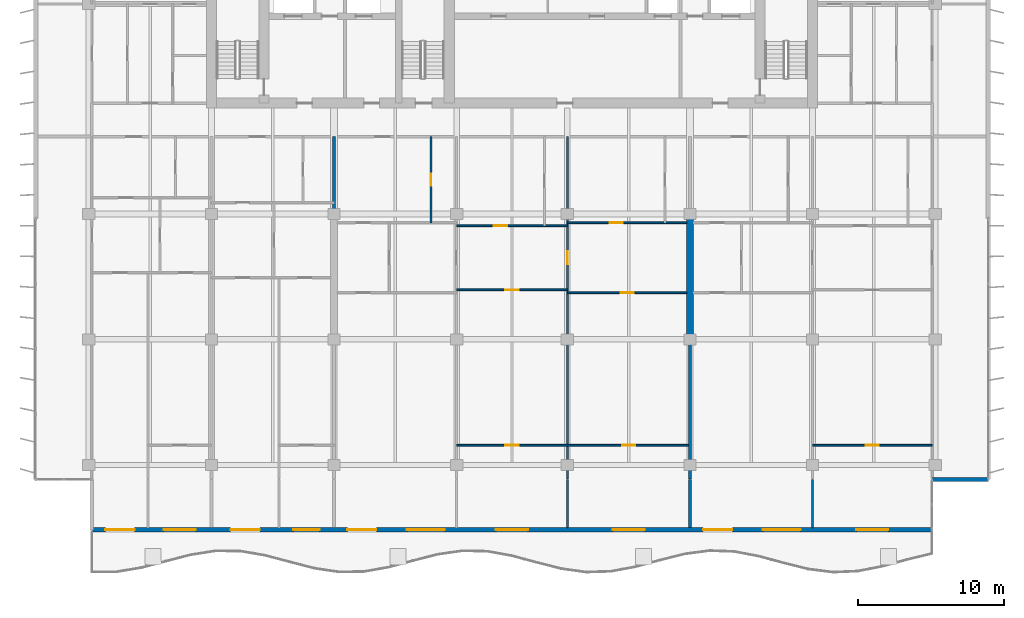
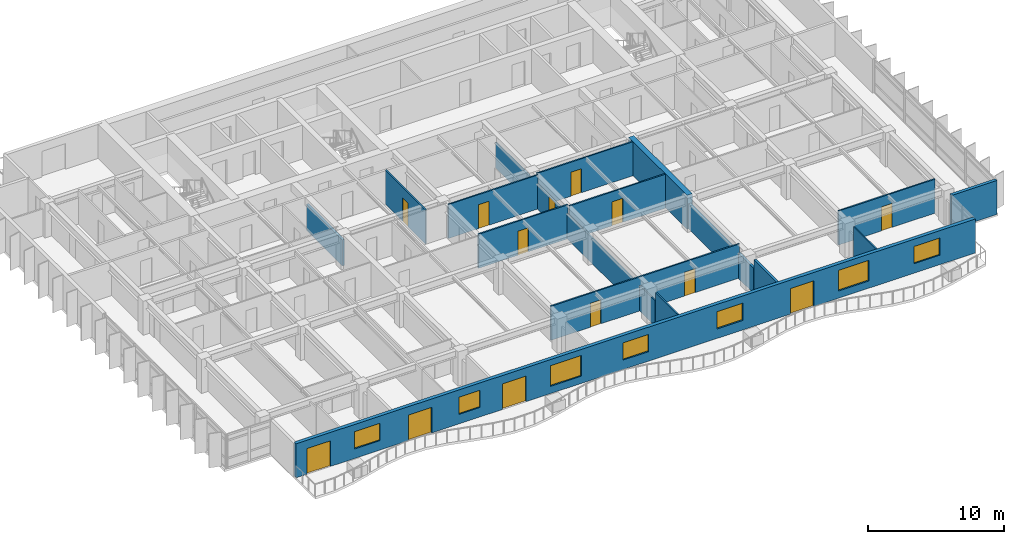
# One storey, part 8 of 16: 16 walls, 13 doors, 7 windows, 20 openings.
"""IFC4 building model written with IfcOpenShell, lengths in metres."""

from ifc_helpers import new_model, si_unit, direction, frame, frame_2d, origin, place, context, subcontext, project, spatial, rectangle, extrude, material, layer, layer_set, type_object, element, fill, save


model = new_model("IFC4")

# Units and contexts
model_context = context("Model", 3, precision=1e-05, world=origin(), true_north=direction((0.0, 1.0)))
body_context = subcontext(model_context, "Body", "Model", "MODEL_VIEW")
ifc_project = project(units=[si_unit("LENGTHUNIT", "METRE"), si_unit("AREAUNIT", "SQUARE_METRE"), si_unit("VOLUMEUNIT", "CUBIC_METRE"), si_unit("PLANEANGLEUNIT", "RADIAN"), si_unit("MASSUNIT", "GRAM", prefix="KILO")], contexts=[model_context])

# Site, building, storey
site_placement = place(None, origin())
site = spatial("IfcSite", under=ifc_project, at=site_placement, CompositionType="ELEMENT")
building_placement = place(site_placement, origin())
building = spatial("IfcBuilding", under=site, at=building_placement, Name="Caelmar Bay Residences", CompositionType="ELEMENT")
storey_placement = place(building_placement, frame((0.0, 0.0, 198.300048828125)))
storey = spatial("IfcBuildingStorey", under=building, at=storey_placement, Name="L55", CompositionType="ELEMENT", Elevation=198.300048828125)

# Walls
ifc_material_1 = material(Name="Concrete f'c 55 MPa (8,000 psi)", Category="concrete")
ifc_layer_1 = layer(ifc_material_1, 0.449951171875)
ifc_layer_set_1 = layer_set([ifc_layer_1], Name="Concrete f'c 55 MPa (8,000 psi)")
wall_type_1 = type_object("IfcWallType", Name="SW-XSLB-450", PredefinedType="SHEAR", material=ifc_layer_set_1)
wall_1_placement = place(storey_placement, frame((51.10009765625, 20.800048828125, 0.0), z_axis=(0.0, 0.0, 1.0), x_axis=(0.0, 1.0, 0.0)))
element("IfcWall", 1, at=wall_1_placement, inside=storey, type_object=wall_type_1, Name="L55 Transverse Cross-Slab Shear Wall E8", PredefinedType="SHEAR", context=body_context, shape_type="SweptSolid", body=[
    extrude(rectangle(XDim=8.599853515625, YDim=0.449951171875, at=frame_2d((4.2998046875, 0.0))), origin(), (0.0, 0.0, 1.0), 3.050048828125),
])
ifc_material_2 = material(Name="Precast concrete f'c 40 MPa (6,000 psi)", Category="concrete")
ifc_layer_2 = layer(ifc_material_2, 0.25)
ifc_layer_set_2 = layer_set([ifc_layer_2], Name="Precast concrete f'c 40 MPa (6,000 psi)")
wall_type_2 = type_object("IfcWallType", Name="W-EXT-250", PredefinedType="ELEMENTEDWALL", material=ifc_layer_set_2)
wall_2_placement = place(storey_placement, frame((67.699951171875, 11.199951171875, 0.0), z_axis=(0.0, 0.0, 1.0), x_axis=(1.0, 0.0, 0.0)))
element("IfcWall", 2, at=wall_2_placement, inside=storey, type_object=wall_type_2, Name="L55 SE Notch Return Wall", PredefinedType="ELEMENTEDWALL", context=body_context, shape_type="SweptSolid", body=[
    extrude(rectangle(XDim=3.85009765625, YDim=0.25, at=frame_2d((1.925048828125, 0.0))), origin(), (0.0, 0.0, 1.0), 3.050048828125),
])

# Wall, openings, doors, windows
ifc_layer_3 = layer(ifc_material_2, 0.300048828125)
ifc_layer_set_3 = layer_set([ifc_layer_3], Name="Precast concrete f'c 40 MPa (6,000 psi)")
wall_type_3 = type_object("IfcWallType", Name="W-EXT-300", PredefinedType="STANDARD", material=ifc_layer_set_3)
wall_3_placement = place(storey_placement, frame((67.699951171875, 7.75, 0.0), z_axis=(0.0, 0.0, 1.0), x_axis=(-1.0, 0.0, 0.0)))
wall_3 = element("IfcWall", 3, at=wall_3_placement, inside=storey, type_object=wall_type_3, Name="L55 South Bayfront Exterior Wall", PredefinedType="STANDARD", context=body_context, shape_type="SweptSolid", body=[
    extrude(rectangle(XDim=57.599853515625, YDim=0.300048828125, at=frame_2d((28.7998046875, 0.0))), origin(), (0.0, 0.0, 1.0), 3.050048828125),
])
opening_1_placement = place(wall_3_placement, frame((54.673095703125, 0.0, 0.0)))
opening_1 = element("IfcOpeningElement", 4, at=opening_1_placement, cuts=wall_3, Name="Opening L55-BD01", PredefinedType="OPENING", context=body_context, shape_type="SweptSolid", body=[
    extrude(rectangle(XDim=2.0, YDim=2.300048828125, at=frame_2d((1.0, 1.14990234375))), frame((0.0, 0.159912109375, 0.0), z_axis=(0.0, -1.0, 0.0), x_axis=(1.0, 0.0, 0.0)), (0.0, 0.0, 1.0), 0.320068359375),
])
opening_2_placement = place(wall_3_placement, frame((50.472900390625, 0.0, 0.85009765625)))
opening_2 = element("IfcOpeningElement", 5, at=opening_2_placement, cuts=wall_3, Name="Opening WN2", PredefinedType="OPENING", context=body_context, shape_type="SweptSolid", body=[
    extrude(rectangle(XDim=2.199951171875, YDim=1.550048828125, at=frame_2d((1.10009765625, 0.77490234375))), frame((0.0, 0.159912109375, 0.0), z_axis=(0.0, -1.0, 0.0), x_axis=(1.0, 0.0, 0.0)), (0.0, 0.0, 1.0), 0.320068359375),
])
opening_3_placement = place(wall_3_placement, frame((46.090087890625, 0.0, 0.0)))
opening_3 = element("IfcOpeningElement", 6, at=opening_3_placement, cuts=wall_3, Name="Opening L55-BD02", PredefinedType="OPENING", context=body_context, shape_type="SweptSolid", body=[
    extrude(rectangle(XDim=2.0, YDim=2.300048828125, at=frame_2d((1.0, 1.14990234375))), frame((0.0, 0.159912109375, 0.0), z_axis=(0.0, -1.0, 0.0), x_axis=(1.0, 0.0, 0.0)), (0.0, 0.0, 1.0), 0.320068359375),
])
opening_4_placement = place(wall_3_placement, frame((41.989990234375, 0.0, 0.85009765625)))
opening_4 = element("IfcOpeningElement", 7, at=opening_4_placement, cuts=wall_3, Name="Opening WN1", PredefinedType="OPENING", context=body_context, shape_type="SweptSolid", body=[
    extrude(rectangle(XDim=1.800048828125, YDim=1.550048828125, at=frame_2d((0.89990234375, 0.77490234375))), frame((0.0, 0.159912109375, 0.0), z_axis=(0.0, -1.0, 0.0), x_axis=(1.0, 0.0, 0.0)), (0.0, 0.0, 1.0), 0.320068359375),
])
opening_5_placement = place(wall_3_placement, frame((38.090087890625, 0.0, 0.0)))
opening_5 = element("IfcOpeningElement", 8, at=opening_5_placement, cuts=wall_3, Name="Opening L55-BD03", PredefinedType="OPENING", context=body_context, shape_type="SweptSolid", body=[
    extrude(rectangle(XDim=2.0, YDim=2.300048828125, at=frame_2d((1.0, 1.14990234375))), frame((0.0, 0.159912109375, 0.0), z_axis=(0.0, -1.0, 0.0), x_axis=(1.0, 0.0, 0.0)), (0.0, 0.0, 1.0), 0.320068359375),
])
opening_6_placement = place(wall_3_placement, frame((33.409912109375, 0.0, 0.64990234375)))
opening_6 = element("IfcOpeningElement", 9, at=opening_6_placement, cuts=wall_3, Name="Opening WN3", PredefinedType="OPENING", context=body_context, shape_type="SweptSolid", body=[
    extrude(rectangle(XDim=2.60009765625, YDim=1.85009765625, at=frame_2d((1.300048828125, 0.925048828125))), frame((0.0, 0.159912109375, 0.0), z_axis=(0.0, -1.0, 0.0), x_axis=(1.0, 0.0, 0.0)), (0.0, 0.0, 1.0), 0.320068359375),
])
opening_7_placement = place(wall_3_placement, frame((27.699951171875, 0.0, 0.85009765625)))
opening_7 = element("IfcOpeningElement", 10, at=opening_7_placement, cuts=wall_3, Name="Opening WN2", PredefinedType="OPENING", context=body_context, shape_type="SweptSolid", body=[
    extrude(rectangle(XDim=2.199951171875, YDim=1.550048828125, at=frame_2d((1.10009765625, 0.77490234375))), frame((0.0, 0.159912109375, 0.0), z_axis=(0.0, -1.0, 0.0), x_axis=(1.0, 0.0, 0.0)), (0.0, 0.0, 1.0), 0.320068359375),
])
opening_8_placement = place(wall_3_placement, frame((19.699951171875, 0.0, 0.85009765625)))
opening_8 = element("IfcOpeningElement", 11, at=opening_8_placement, cuts=wall_3, Name="Opening WN2", PredefinedType="OPENING", context=body_context, shape_type="SweptSolid", body=[
    extrude(rectangle(XDim=2.199951171875, YDim=1.550048828125, at=frame_2d((1.10009765625, 0.77490234375))), frame((0.0, 0.159912109375, 0.0), z_axis=(0.0, -1.0, 0.0), x_axis=(1.0, 0.0, 0.0)), (0.0, 0.0, 1.0), 0.320068359375),
])
opening_9_placement = place(wall_3_placement, frame((13.68994140625, 0.0, 0.0)))
opening_9 = element("IfcOpeningElement", 12, at=opening_9_placement, cuts=wall_3, Name="Opening L55-BD04", PredefinedType="OPENING", context=body_context, shape_type="SweptSolid", body=[
    extrude(rectangle(XDim=2.0, YDim=2.300048828125, at=frame_2d((1.0, 1.14990234375))), frame((0.0, 0.159912109375, 0.0), z_axis=(0.0, -1.0, 0.0), x_axis=(1.0, 0.0, 0.0)), (0.0, 0.0, 1.0), 0.320068359375),
])
opening_10_placement = place(wall_3_placement, frame((9.010009765625, 0.0, 0.64990234375)))
opening_10 = element("IfcOpeningElement", 13, at=opening_10_placement, cuts=wall_3, Name="Opening WN3", PredefinedType="OPENING", context=body_context, shape_type="SweptSolid", body=[
    extrude(rectangle(XDim=2.60009765625, YDim=1.85009765625, at=frame_2d((1.300048828125, 0.925048828125))), frame((0.0, 0.159912109375, 0.0), z_axis=(0.0, -1.0, 0.0), x_axis=(1.0, 0.0, 0.0)), (0.0, 0.0, 1.0), 0.320068359375),
])
opening_11_placement = place(wall_3_placement, frame((3.0, 0.0, 0.85009765625)))
opening_11 = element("IfcOpeningElement", 14, at=opening_11_placement, cuts=wall_3, Name="Opening WN2", PredefinedType="OPENING", context=body_context, shape_type="SweptSolid", body=[
    extrude(rectangle(XDim=2.199951171875, YDim=1.550048828125, at=frame_2d((1.10009765625, 0.77490234375))), frame((0.0, 0.159912109375, 0.0), z_axis=(0.0, -1.0, 0.0), x_axis=(1.0, 0.0, 0.0)), (0.0, 0.0, 1.0), 0.320068359375),
])
ifc_material_3 = material(Name="Anodised bronze thermally broken sliding glass door", Category="glass")
ifc_layer_4 = layer(ifc_material_3, 0.050048828125)
ifc_layer_set_4 = layer_set([ifc_layer_4], Name="Anodised bronze thermally broken sliding glass door")
door_type_1 = type_object("IfcDoorType", Name="D-BAL-2000", OperationType="DOUBLE_DOOR_SLIDING", PredefinedType="DOOR", material=ifc_layer_set_4)
door_1_placement = place(opening_1_placement, origin())
door_1 = element("IfcDoor", 15, at=door_1_placement, inside=storey, type_object=door_type_1, Name="L55 Residence 01 Living Room Balcony Door", OperationType="DOUBLE_DOOR_SLIDING", OverallHeight=2.300048828125, OverallWidth=2.0, PredefinedType="DOOR", context=body_context, shape_type="SweptSolid", body=[
    extrude(rectangle(XDim=2.0, YDim=2.300048828125, at=frame_2d((1.0, 1.14990234375))), frame((0.0, 0.02490234375, 0.0), z_axis=(0.0, -1.0, 0.0), x_axis=(1.0, 0.0, 0.0)), (0.0, 0.0, 1.0), 0.050048828125),
])
fill(opening_1, door_1)
door_2_placement = place(opening_3_placement, origin())
door_2 = element("IfcDoor", 16, at=door_2_placement, inside=storey, type_object=door_type_1, Name="L55 Residence 02 Penthouse Living Salon Balcony Door", OperationType="DOUBLE_DOOR_SLIDING", OverallHeight=2.300048828125, OverallWidth=2.0, PredefinedType="DOOR", context=body_context, shape_type="SweptSolid", body=[
    extrude(rectangle(XDim=2.0, YDim=2.300048828125, at=frame_2d((1.0, 1.14990234375))), frame((0.0, 0.02490234375, 0.0), z_axis=(0.0, -1.0, 0.0), x_axis=(1.0, 0.0, 0.0)), (0.0, 0.0, 1.0), 0.050048828125),
])
fill(opening_3, door_2)
door_3_placement = place(opening_5_placement, origin())
door_3 = element("IfcDoor", 17, at=door_3_placement, inside=storey, type_object=door_type_1, Name="L55 Residence 03 Penthouse Living Salon Balcony Door", OperationType="DOUBLE_DOOR_SLIDING", OverallHeight=2.300048828125, OverallWidth=2.0, PredefinedType="DOOR", context=body_context, shape_type="SweptSolid", body=[
    extrude(rectangle(XDim=2.0, YDim=2.300048828125, at=frame_2d((1.0, 1.14990234375))), frame((0.0, 0.02490234375, 0.0), z_axis=(0.0, -1.0, 0.0), x_axis=(1.0, 0.0, 0.0)), (0.0, 0.0, 1.0), 0.050048828125),
])
fill(opening_5, door_3)
door_4_placement = place(opening_9_placement, origin())
door_4 = element("IfcDoor", 18, at=door_4_placement, inside=storey, type_object=door_type_1, Name="L55 Residence 04 Penthouse Living Salon Balcony Door", OperationType="DOUBLE_DOOR_SLIDING", OverallHeight=2.300048828125, OverallWidth=2.0, PredefinedType="DOOR", context=body_context, shape_type="SweptSolid", body=[
    extrude(rectangle(XDim=2.0, YDim=2.300048828125, at=frame_2d((1.0, 1.14990234375))), frame((0.0, 0.02490234375, 0.0), z_axis=(0.0, -1.0, 0.0), x_axis=(1.0, 0.0, 0.0)), (0.0, 0.0, 1.0), 0.050048828125),
])
fill(opening_9, door_4)
ifc_material_4 = material(Name="Bronze aluminium frame with laminated low-E glass", Category="aluminium")
ifc_layer_5 = layer(ifc_material_4, 0.06005859375)
ifc_layer_set_5 = layer_set([ifc_layer_5], Name="Bronze aluminium frame with laminated low-E glass")
window_type_1 = type_object("IfcWindowType", Name="WIN-BR-1800", PartitioningType="SINGLE_PANEL", PredefinedType="WINDOW", material=ifc_layer_set_5)
window_1_placement = place(opening_4_placement, origin())
window_1 = element("IfcWindow", 19, at=window_1_placement, inside=storey, type_object=window_type_1, Name="L55 Residence 02 Primary Bedroom Window", OverallHeight=1.550048828125, OverallWidth=1.800048828125, PartitioningType="SINGLE_PANEL", PredefinedType="WINDOW", context=body_context, shape_type="SweptSolid", body=[
    extrude(rectangle(XDim=1.800048828125, YDim=1.550048828125, at=frame_2d((0.89990234375, 0.77490234375))), frame((0.0, 0.030029296875, 0.0), z_axis=(0.0, -1.0, 0.0), x_axis=(1.0, 0.0, 0.0)), (0.0, 0.0, 1.0), 0.06005859375),
])
fill(opening_4, window_1)
ifc_layer_6 = layer(ifc_material_4, 0.06005859375)
ifc_layer_set_6 = layer_set([ifc_layer_6], Name="Bronze aluminium frame with laminated low-E glass")
window_type_2 = type_object("IfcWindowType", Name="WIN-BR-2200", PartitioningType="SINGLE_PANEL", PredefinedType="WINDOW", material=ifc_layer_set_6)
window_2_placement = place(opening_2_placement, origin())
window_2 = element("IfcWindow", 20, at=window_2_placement, inside=storey, type_object=window_type_2, Name="L55 Residence 01 Primary Bedroom Window", OverallHeight=1.550048828125, OverallWidth=2.199951171875, PartitioningType="SINGLE_PANEL", PredefinedType="WINDOW", context=body_context, shape_type="SweptSolid", body=[
    extrude(rectangle(XDim=2.199951171875, YDim=1.550048828125, at=frame_2d((1.10009765625, 0.77490234375))), frame((0.0, 0.030029296875, 0.0), z_axis=(0.0, -1.0, 0.0), x_axis=(1.0, 0.0, 0.0)), (0.0, 0.0, 1.0), 0.06005859375),
])
fill(opening_2, window_2)
window_3_placement = place(opening_7_placement, origin())
window_3 = element("IfcWindow", 21, at=window_3_placement, inside=storey, type_object=window_type_2, Name="L55 Residence 03 Primary Bedroom 1 Window", OverallHeight=1.550048828125, OverallWidth=2.199951171875, PartitioningType="SINGLE_PANEL", PredefinedType="WINDOW", context=body_context, shape_type="SweptSolid", body=[
    extrude(rectangle(XDim=2.199951171875, YDim=1.550048828125, at=frame_2d((1.10009765625, 0.77490234375))), frame((0.0, 0.030029296875, 0.0), z_axis=(0.0, -1.0, 0.0), x_axis=(1.0, 0.0, 0.0)), (0.0, 0.0, 1.0), 0.06005859375),
])
fill(opening_7, window_3)
window_4_placement = place(opening_8_placement, origin())
window_4 = element("IfcWindow", 22, at=window_4_placement, inside=storey, type_object=window_type_2, Name="L55 Residence 03 Primary Bedroom 2 Window", OverallHeight=1.550048828125, OverallWidth=2.199951171875, PartitioningType="SINGLE_PANEL", PredefinedType="WINDOW", context=body_context, shape_type="SweptSolid", body=[
    extrude(rectangle(XDim=2.199951171875, YDim=1.550048828125, at=frame_2d((1.10009765625, 0.77490234375))), frame((0.0, 0.030029296875, 0.0), z_axis=(0.0, -1.0, 0.0), x_axis=(1.0, 0.0, 0.0)), (0.0, 0.0, 1.0), 0.06005859375),
])
fill(opening_8, window_4)
window_5_placement = place(opening_11_placement, origin())
window_5 = element("IfcWindow", 23, at=window_5_placement, inside=storey, type_object=window_type_2, Name="L55 Residence 04 Primary Bedroom 1 Window", OverallHeight=1.550048828125, OverallWidth=2.199951171875, PartitioningType="SINGLE_PANEL", PredefinedType="WINDOW", context=body_context, shape_type="SweptSolid", body=[
    extrude(rectangle(XDim=2.199951171875, YDim=1.550048828125, at=frame_2d((1.10009765625, 0.77490234375))), frame((0.0, 0.030029296875, 0.0), z_axis=(0.0, -1.0, 0.0), x_axis=(1.0, 0.0, 0.0)), (0.0, 0.0, 1.0), 0.06005859375),
])
fill(opening_11, window_5)
ifc_layer_7 = layer(ifc_material_4, 0.06005859375)
ifc_layer_set_7 = layer_set([ifc_layer_7], Name="Bronze aluminium frame with laminated low-E glass")
window_type_3 = type_object("IfcWindowType", Name="WIN-LIV-2600", PartitioningType="SINGLE_PANEL", PredefinedType="WINDOW", material=ifc_layer_set_7)
window_6_placement = place(opening_6_placement, origin())
window_6 = element("IfcWindow", 24, at=window_6_placement, inside=storey, type_object=window_type_3, Name="L55 Residence 03 Penthouse Living Salon Panoramic Window", OverallHeight=1.85009765625, OverallWidth=2.60009765625, PartitioningType="SINGLE_PANEL", PredefinedType="WINDOW", context=body_context, shape_type="SweptSolid", body=[
    extrude(rectangle(XDim=2.60009765625, YDim=1.85009765625, at=frame_2d((1.300048828125, 0.925048828125))), frame((0.0, 0.030029296875, 0.0), z_axis=(0.0, -1.0, 0.0), x_axis=(1.0, 0.0, 0.0)), (0.0, 0.0, 1.0), 0.06005859375),
])
fill(opening_6, window_6)
window_7_placement = place(opening_10_placement, origin())
window_7 = element("IfcWindow", 25, at=window_7_placement, inside=storey, type_object=window_type_3, Name="L55 Residence 04 Penthouse Living Salon Panoramic Window", OverallHeight=1.85009765625, OverallWidth=2.60009765625, PartitioningType="SINGLE_PANEL", PredefinedType="WINDOW", context=body_context, shape_type="SweptSolid", body=[
    extrude(rectangle(XDim=2.60009765625, YDim=1.85009765625, at=frame_2d((1.300048828125, 0.925048828125))), frame((0.0, 0.030029296875, 0.0), z_axis=(0.0, -1.0, 0.0), x_axis=(1.0, 0.0, 0.0)), (0.0, 0.0, 1.0), 0.06005859375),
])
fill(opening_10, window_7)

# Wall, opening, door
ifc_material_5 = material(Name="Acoustic metal-stud gypsum partition 120 mm")
ifc_layer_8 = layer(ifc_material_5, 0.1201171875)
ifc_layer_set_8 = layer_set([ifc_layer_8], Name="Acoustic metal-stud gypsum partition 120 mm")
wall_type_4 = type_object("IfcWallType", Name="W-PRT-120", PredefinedType="PARTITIONING", material=ifc_layer_set_8)
wall_4_placement = place(storey_placement, frame((33.35400390625, 28.800048828125, 0.0), z_axis=(0.0, 0.0, 1.0), x_axis=(0.0, 1.0, 0.0)))
wall_4 = element("IfcWall", 26, at=wall_4_placement, inside=storey, type_object=wall_type_4, Name="L55 Partition Wall V025", PredefinedType="PARTITIONING", context=body_context, shape_type="SweptSolid", body=[
    extrude(rectangle(XDim=5.89990234375, YDim=0.1201171875, at=frame_2d((2.949951171875, 0.0))), origin(), (0.0, 0.0, 1.0), 3.050048828125),
])
opening_12_placement = place(wall_4_placement, frame((2.52490234375, 0.0, 0.0)))
opening_12 = element("IfcOpeningElement", 27, at=opening_12_placement, cuts=wall_4, Name="Opening D-L55-135", PredefinedType="OPENING", context=body_context, shape_type="SweptSolid", body=[
    extrude(rectangle(XDim=0.85009765625, YDim=2.10009765625, at=frame_2d((0.425048828125, 1.050048828125))), frame((0.0, 0.070068359375, 0.0), z_axis=(0.0, -1.0, 0.0), x_axis=(1.0, 0.0, 0.0)), (0.0, 0.0, 1.0), 0.14013671875),
])
ifc_material_6 = material(Name="Solid walnut timber interior door leaf and frame", Category="wood")
ifc_layer_9 = layer(ifc_material_6, 0.050048828125)
ifc_layer_set_9 = layer_set([ifc_layer_9], Name="Solid walnut timber interior door leaf and frame")
door_type_2 = type_object("IfcDoorType", Name="D-BATH-850", OperationType="NOTDEFINED", PredefinedType="DOOR", material=ifc_layer_set_9)
door_5_placement = place(opening_12_placement, origin())
door_5 = element("IfcDoor", 28, at=door_5_placement, inside=storey, type_object=door_type_2, Name="L55 Residence 03 Guest Bathroom Door", OperationType="SINGLE_SWING_LEFT", OverallHeight=2.10009765625, OverallWidth=0.85009765625, PredefinedType="DOOR", context=body_context, shape_type="SweptSolid", body=[
    extrude(rectangle(XDim=0.85009765625, YDim=2.10009765625, at=frame_2d((0.425048828125, 1.050048828125))), frame((0.0, 0.02490234375, 0.0), z_axis=(0.0, -1.0, 0.0), x_axis=(1.0, 0.0, 0.0)), (0.0, 0.0, 1.0), 0.050048828125),
])
fill(opening_12, door_5)

# Wall
wall_5_placement = place(storey_placement, frame((42.699951171875, 7.89501953125, 0.0), z_axis=(0.0, 0.0, 1.0), x_axis=(0.0, 1.0, 0.0)))
element("IfcWall", 29, at=wall_5_placement, inside=storey, type_object=wall_type_4, Name="L55 Partition Wall V031", PredefinedType="PARTITIONING", context=body_context, shape_type="SweptSolid", body=[
    extrude(rectangle(XDim=3.304931640625, YDim=0.1201171875, at=frame_2d((1.65234375, 0.0))), origin(), (0.0, 0.0, 1.0), 3.050048828125),
])

# Wall, opening, door
wall_6_placement = place(storey_placement, frame((42.699951171875, 11.239990234375, 0.0), z_axis=(0.0, 0.0, 1.0), x_axis=(0.0, 1.0, 0.0)))
wall_6 = element("IfcWall", 30, at=wall_6_placement, inside=storey, type_object=wall_type_4, Name="L55 Partition Wall V032", PredefinedType="PARTITIONING", context=body_context, shape_type="SweptSolid", body=[
    extrude(rectangle(XDim=23.4599609375, YDim=0.1201171875, at=frame_2d((11.72998046875, 0.0))), origin(), (0.0, 0.0, 1.0), 2.262939453125),
])
opening_13_placement = place(wall_6_placement, frame((14.7099609375, 0.0, 0.0)))
opening_13 = element("IfcOpeningElement", 31, at=opening_13_placement, cuts=wall_6, Name="Opening D-L55-144", PredefinedType="OPENING", context=body_context, shape_type="SweptSolid", body=[
    extrude(rectangle(XDim=0.89990234375, YDim=2.14990234375, at=frame_2d((0.449951171875, 1.074951171875))), frame((0.0, 0.070068359375, 0.0), z_axis=(0.0, -1.0, 0.0), x_axis=(1.0, 0.0, 0.0)), (0.0, 0.0, 1.0), 0.14013671875),
])
ifc_layer_10 = layer(ifc_material_6, 0.050048828125)
ifc_layer_set_10 = layer_set([ifc_layer_10], Name="Solid walnut timber interior door leaf and frame")
door_type_3 = type_object("IfcDoorType", Name="D-ROOM-900", OperationType="NOTDEFINED", PredefinedType="DOOR", material=ifc_layer_set_10)
door_6_placement = place(opening_13_placement, origin())
door_6 = element("IfcDoor", 32, at=door_6_placement, inside=storey, type_object=door_type_3, Name="L55 Residence 03 Family Room 2 Door", OperationType="SINGLE_SWING_RIGHT", OverallHeight=2.14990234375, OverallWidth=0.89990234375, PredefinedType="DOOR", context=body_context, shape_type="SweptSolid", body=[
    extrude(rectangle(XDim=0.89990234375, YDim=2.14990234375, at=frame_2d((0.449951171875, 1.074951171875))), frame((0.0, 0.02490234375, 0.0), z_axis=(0.0, -1.0, 0.0), x_axis=(1.0, 0.0, 0.0)), (0.0, 0.0, 1.0), 0.050048828125),
])
fill(opening_13, door_6)

# Wall
wall_7_placement = place(storey_placement, frame((59.5, 7.89501953125, 0.0), z_axis=(0.0, 0.0, 1.0), x_axis=(0.0, 1.0, 0.0)))
element("IfcWall", 33, at=wall_7_placement, inside=storey, type_object=wall_type_4, Name="L55 Partition Wall V044", PredefinedType="PARTITIONING", context=body_context, shape_type="SweptSolid", body=[
    extrude(rectangle(XDim=3.304931640625, YDim=0.1201171875, at=frame_2d((1.65234375, 0.0))), origin(), (0.0, 0.0, 1.0), 3.050048828125),
])

# Wall, openings, doors
wall_8_placement = place(storey_placement, frame((35.10009765625, 13.550048828125, 0.0), z_axis=(0.0, 0.0, 1.0), x_axis=(1.0, 0.0, 0.0)))
wall_8 = element("IfcWall", 34, at=wall_8_placement, inside=storey, type_object=wall_type_4, Name="L55 Partition Wall H055", PredefinedType="PARTITIONING", context=body_context, shape_type="SweptSolid", body=[
    extrude(rectangle(XDim=16.0, YDim=0.1201171875, at=frame_2d((8.0, 0.0))), origin(), (0.0, 0.0, 1.0), 3.050048828125),
])
opening_14_placement = place(wall_8_placement, frame((3.35009765625, 0.0, 0.0)))
opening_14 = element("IfcOpeningElement", 35, at=opening_14_placement, cuts=wall_8, Name="Opening D-L55-143", PredefinedType="OPENING", context=body_context, shape_type="SweptSolid", body=[
    extrude(rectangle(XDim=0.89990234375, YDim=2.14990234375, at=frame_2d((0.449951171875, 1.074951171875))), frame((0.0, 0.070068359375, 0.0), z_axis=(0.0, -1.0, 0.0), x_axis=(1.0, 0.0, 0.0)), (0.0, 0.0, 1.0), 0.14013671875),
])
opening_15_placement = place(wall_8_placement, frame((11.35009765625, 0.0, 0.0)))
opening_15 = element("IfcOpeningElement", 36, at=opening_15_placement, cuts=wall_8, Name="Opening D-L55-148", PredefinedType="OPENING", context=body_context, shape_type="SweptSolid", body=[
    extrude(rectangle(XDim=0.89990234375, YDim=2.14990234375, at=frame_2d((0.449951171875, 1.074951171875))), frame((0.0, 0.070068359375, 0.0), z_axis=(0.0, -1.0, 0.0), x_axis=(1.0, 0.0, 0.0)), (0.0, 0.0, 1.0), 0.14013671875),
])
door_7_placement = place(opening_14_placement, origin())
door_7 = element("IfcDoor", 37, at=door_7_placement, inside=storey, type_object=door_type_3, Name="L55 Residence 03 Primary Bedroom 1 Door", OperationType="SINGLE_SWING_LEFT", OverallHeight=2.14990234375, OverallWidth=0.89990234375, PredefinedType="DOOR", context=body_context, shape_type="SweptSolid", body=[
    extrude(rectangle(XDim=0.89990234375, YDim=2.14990234375, at=frame_2d((0.449951171875, 1.074951171875))), frame((0.0, 0.02490234375, 0.0), z_axis=(0.0, -1.0, 0.0), x_axis=(1.0, 0.0, 0.0)), (0.0, 0.0, 1.0), 0.050048828125),
])
fill(opening_14, door_7)
door_8_placement = place(opening_15_placement, origin())
door_8 = element("IfcDoor", 38, at=door_8_placement, inside=storey, type_object=door_type_3, Name="L55 Residence 03 Primary Bedroom 2 Door", OperationType="SINGLE_SWING_RIGHT", OverallHeight=2.14990234375, OverallWidth=0.89990234375, PredefinedType="DOOR", context=body_context, shape_type="SweptSolid", body=[
    extrude(rectangle(XDim=0.89990234375, YDim=2.14990234375, at=frame_2d((0.449951171875, 1.074951171875))), frame((0.0, 0.02490234375, 0.0), z_axis=(0.0, -1.0, 0.0), x_axis=(1.0, 0.0, 0.0)), (0.0, 0.0, 1.0), 0.050048828125),
])
fill(opening_15, door_8)

# Wall, opening, door
wall_9_placement = place(storey_placement, frame((59.5, 13.550048828125, 0.0), z_axis=(0.0, 0.0, 1.0), x_axis=(1.0, 0.0, 0.0)))
wall_9 = element("IfcWall", 39, at=wall_9_placement, inside=storey, type_object=wall_type_4, Name="L55 Partition Wall H056", PredefinedType="PARTITIONING", context=body_context, shape_type="SweptSolid", body=[
    extrude(rectangle(XDim=8.199951171875, YDim=0.1201171875, at=frame_2d((4.10009765625, 0.0))), origin(), (0.0, 0.0, 1.0), 3.050048828125),
])
opening_16_placement = place(wall_9_placement, frame((3.64990234375, 0.0, 0.0)))
opening_16 = element("IfcOpeningElement", 40, at=opening_16_placement, cuts=wall_9, Name="Opening D-L55-158", PredefinedType="OPENING", context=body_context, shape_type="SweptSolid", body=[
    extrude(rectangle(XDim=0.89990234375, YDim=2.14990234375, at=frame_2d((0.449951171875, 1.074951171875))), frame((0.0, 0.070068359375, 0.0), z_axis=(0.0, -1.0, 0.0), x_axis=(1.0, 0.0, 0.0)), (0.0, 0.0, 1.0), 0.14013671875),
])
door_9_placement = place(opening_16_placement, origin())
door_9 = element("IfcDoor", 41, at=door_9_placement, inside=storey, type_object=door_type_3, Name="L55 Residence 04 Primary Bedroom 1 Door", OperationType="SINGLE_SWING_RIGHT", OverallHeight=2.14990234375, OverallWidth=0.89990234375, PredefinedType="DOOR", context=body_context, shape_type="SweptSolid", body=[
    extrude(rectangle(XDim=0.89990234375, YDim=2.14990234375, at=frame_2d((0.449951171875, 1.074951171875))), frame((0.0, 0.02490234375, 0.0), z_axis=(0.0, -1.0, 0.0), x_axis=(1.0, 0.0, 0.0)), (0.0, 0.0, 1.0), 0.050048828125),
])
fill(opening_16, door_9)

wall_10_placement = place(storey_placement, frame((42.699951171875, 24.0, 0.0), z_axis=(0.0, 0.0, 1.0), x_axis=(1.0, 0.0, 0.0)))
wall_10 = element("IfcWall", 42, at=wall_10_placement, inside=storey, type_object=wall_type_4, Name="L55 Partition Wall H058", PredefinedType="PARTITIONING", context=body_context, shape_type="SweptSolid", body=[
    extrude(rectangle(XDim=8.179931640625, YDim=0.1201171875, at=frame_2d((4.08984375, 0.0))), origin(), (0.0, 0.0, 1.0), 3.050048828125),
])
opening_17_placement = place(wall_10_placement, frame((3.639892578125, 0.0, 0.0)))
opening_17 = element("IfcOpeningElement", 43, at=opening_17_placement, cuts=wall_10, Name="Opening D-L55-147", PredefinedType="OPENING", context=body_context, shape_type="SweptSolid", body=[
    extrude(rectangle(XDim=0.89990234375, YDim=2.14990234375, at=frame_2d((0.449951171875, 1.074951171875))), frame((0.0, 0.070068359375, 0.0), z_axis=(0.0, -1.0, 0.0), x_axis=(1.0, 0.0, 0.0)), (0.0, 0.0, 1.0), 0.14013671875),
])
door_10_placement = place(opening_17_placement, origin())
door_10 = element("IfcDoor", 44, at=door_10_placement, inside=storey, type_object=door_type_3, Name="L55 Residence 03 Penthouse Sitting Salon 2 Door", OperationType="SINGLE_SWING_LEFT", OverallHeight=2.14990234375, OverallWidth=0.89990234375, PredefinedType="DOOR", context=body_context, shape_type="SweptSolid", body=[
    extrude(rectangle(XDim=0.89990234375, YDim=2.14990234375, at=frame_2d((0.449951171875, 1.074951171875))), frame((0.0, 0.02490234375, 0.0), z_axis=(0.0, -1.0, 0.0), x_axis=(1.0, 0.0, 0.0)), (0.0, 0.0, 1.0), 0.050048828125),
])
fill(opening_17, door_10)

wall_11_placement = place(storey_placement, frame((35.10498046875, 24.199951171875, 0.0), z_axis=(0.0, 0.0, 1.0), x_axis=(1.0, 0.0, 0.0)))
wall_11 = element("IfcWall", 45, at=wall_11_placement, inside=storey, type_object=wall_type_4, Name="L55 Partition Wall H060", PredefinedType="PARTITIONING", context=body_context, shape_type="SweptSolid", body=[
    extrude(rectangle(XDim=7.590087890625, YDim=0.1201171875, at=frame_2d((3.794921875, 0.0))), origin(), (0.0, 0.0, 1.0), 3.050048828125),
])
opening_18_placement = place(wall_11_placement, frame((3.344970703125, 0.0, 0.0)))
opening_18 = element("IfcOpeningElement", 46, at=opening_18_placement, cuts=wall_11, Name="Opening D-L55-142", PredefinedType="OPENING", context=body_context, shape_type="SweptSolid", body=[
    extrude(rectangle(XDim=0.89990234375, YDim=2.14990234375, at=frame_2d((0.449951171875, 1.074951171875))), frame((0.0, 0.070068359375, 0.0), z_axis=(0.0, -1.0, 0.0), x_axis=(1.0, 0.0, 0.0)), (0.0, 0.0, 1.0), 0.14013671875),
])
door_11_placement = place(opening_18_placement, origin())
door_11 = element("IfcDoor", 47, at=door_11_placement, inside=storey, type_object=door_type_3, Name="L55 Residence 03 Penthouse Sitting Salon 1 Door", OperationType="SINGLE_SWING_RIGHT", OverallHeight=2.14990234375, OverallWidth=0.89990234375, PredefinedType="DOOR", context=body_context, shape_type="SweptSolid", body=[
    extrude(rectangle(XDim=0.89990234375, YDim=2.14990234375, at=frame_2d((0.449951171875, 1.074951171875))), frame((0.0, 0.02490234375, 0.0), z_axis=(0.0, -1.0, 0.0), x_axis=(1.0, 0.0, 0.0)), (0.0, 0.0, 1.0), 0.050048828125),
])
fill(opening_18, door_11)

wall_12_placement = place(storey_placement, frame((35.10009765625, 28.60009765625, 0.0), z_axis=(0.0, 0.0, 1.0), x_axis=(1.0, 0.0, 0.0)))
wall_12 = element("IfcWall", 48, at=wall_12_placement, inside=storey, type_object=wall_type_4, Name="L55 Partition Wall H064", PredefinedType="PARTITIONING", context=body_context, shape_type="SweptSolid", body=[
    extrude(rectangle(XDim=7.599853515625, YDim=0.1201171875, at=frame_2d((3.7998046875, 0.0))), origin(), (0.0, 0.0, 1.0), 3.050048828125),
])
opening_19_placement = place(wall_12_placement, frame((2.56298828125, 0.0, 0.0)))
opening_19 = element("IfcOpeningElement", 49, at=opening_19_placement, cuts=wall_12, Name="Opening D-L55-140", PredefinedType="OPENING", context=body_context, shape_type="SweptSolid", body=[
    extrude(rectangle(XDim=0.89990234375, YDim=2.14990234375, at=frame_2d((0.449951171875, 1.074951171875))), frame((0.0, 0.070068359375, 0.0), z_axis=(0.0, -1.0, 0.0), x_axis=(1.0, 0.0, 0.0)), (0.0, 0.0, 1.0), 0.14013671875),
])
door_12_placement = place(opening_19_placement, origin())
door_12 = element("IfcDoor", 50, at=door_12_placement, inside=storey, type_object=door_type_3, Name="L55 Residence 03 Sitting Room 1 Door", OperationType="SINGLE_SWING_RIGHT", OverallHeight=2.14990234375, OverallWidth=0.89990234375, PredefinedType="DOOR", context=body_context, shape_type="SweptSolid", body=[
    extrude(rectangle(XDim=0.89990234375, YDim=2.14990234375, at=frame_2d((0.449951171875, 1.074951171875))), frame((0.0, 0.02490234375, 0.0), z_axis=(0.0, -1.0, 0.0), x_axis=(1.0, 0.0, 0.0)), (0.0, 0.0, 1.0), 0.050048828125),
])
fill(opening_19, door_12)

wall_13_placement = place(storey_placement, frame((42.705078125, 28.800048828125, 0.0), z_axis=(0.0, 0.0, 1.0), x_axis=(1.0, 0.0, 0.0)))
wall_13 = element("IfcWall", 51, at=wall_13_placement, inside=storey, type_object=wall_type_4, Name="L55 Partition Wall H067", PredefinedType="PARTITIONING", context=body_context, shape_type="SweptSolid", body=[
    extrude(rectangle(XDim=8.1748046875, YDim=0.1201171875, at=frame_2d((4.08740234375, 0.0))), origin(), (0.0, 0.0, 1.0), 3.050048828125),
])
opening_20_placement = place(wall_13_placement, frame((2.8916015625, 0.0, 0.0)))
opening_20 = element("IfcOpeningElement", 52, at=opening_20_placement, cuts=wall_13, Name="Opening D-L55-145", PredefinedType="OPENING", context=body_context, shape_type="SweptSolid", body=[
    extrude(rectangle(XDim=0.89990234375, YDim=2.14990234375, at=frame_2d((0.449951171875, 1.074951171875))), frame((0.0, 0.070068359375, 0.0), z_axis=(0.0, -1.0, 0.0), x_axis=(1.0, 0.0, 0.0)), (0.0, 0.0, 1.0), 0.14013671875),
])
door_13_placement = place(opening_20_placement, origin())
door_13 = element("IfcDoor", 53, at=door_13_placement, inside=storey, type_object=door_type_3, Name="L55 Residence 03 Sitting Room 2 Door", OperationType="SINGLE_SWING_LEFT", OverallHeight=2.14990234375, OverallWidth=0.89990234375, PredefinedType="DOOR", context=body_context, shape_type="SweptSolid", body=[
    extrude(rectangle(XDim=0.89990234375, YDim=2.14990234375, at=frame_2d((0.449951171875, 1.074951171875))), frame((0.0, 0.02490234375, 0.0), z_axis=(0.0, -1.0, 0.0), x_axis=(1.0, 0.0, 0.0)), (0.0, 0.0, 1.0), 0.050048828125),
])
fill(opening_20, door_13)

# Walls
ifc_material_7 = material(Name="Acoustic twin-stud fire-rated inter-tenancy partition 200 mm")
ifc_layer_11 = layer(ifc_material_7, 0.199951171875)
ifc_layer_set_11 = layer_set([ifc_layer_11], Name="Acoustic twin-stud fire-rated inter-tenancy partition 200 mm")
wall_type_5 = type_object("IfcWallType", Name="W-PTY-200", PredefinedType="PARTITIONING", material=ifc_layer_set_11)
wall_14_placement = place(storey_placement, frame((26.699951171875, 29.405029296875, 0.0), z_axis=(0.0, 0.0, 1.0), x_axis=(0.0, 1.0, 0.0)))
element("IfcWall", 54, at=wall_14_placement, inside=storey, type_object=wall_type_5, Name="L55 Partition Wall V021", PredefinedType="PARTITIONING", context=body_context, shape_type="SweptSolid", body=[
    extrude(rectangle(XDim=5.294921875, YDim=0.199951171875, at=frame_2d((2.6474609375, 0.0))), origin(), (0.0, 0.0, 1.0), 2.3349609375),
])
wall_15_placement = place(storey_placement, frame((51.10009765625, 7.89501953125, 0.0), z_axis=(0.0, 0.0, 1.0), x_axis=(0.0, 1.0, 0.0)))
element("IfcWall", 55, at=wall_15_placement, inside=storey, type_object=wall_type_5, Name="L55 Partition Wall V037", PredefinedType="PARTITIONING", context=body_context, shape_type="SweptSolid", body=[
    extrude(rectangle(XDim=3.304931640625, YDim=0.199951171875, at=frame_2d((1.65234375, 0.0))), origin(), (0.0, 0.0, 1.0), 3.050048828125),
])
wall_16_placement = place(storey_placement, frame((51.10009765625, 11.239990234375, 0.0), z_axis=(0.0, 0.0, 1.0), x_axis=(0.0, 1.0, 0.0)))
element("IfcWall", 56, at=wall_16_placement, inside=storey, type_object=wall_type_5, Name="L55 Partition Wall V038", PredefinedType="PARTITIONING", context=body_context, shape_type="SweptSolid", body=[
    extrude(rectangle(XDim=9.554931640625, YDim=0.199951171875, at=frame_2d((4.77734375, 0.0))), origin(), (0.0, 0.0, 1.0), 2.262939453125),
])

save(model, "model.ifc")
